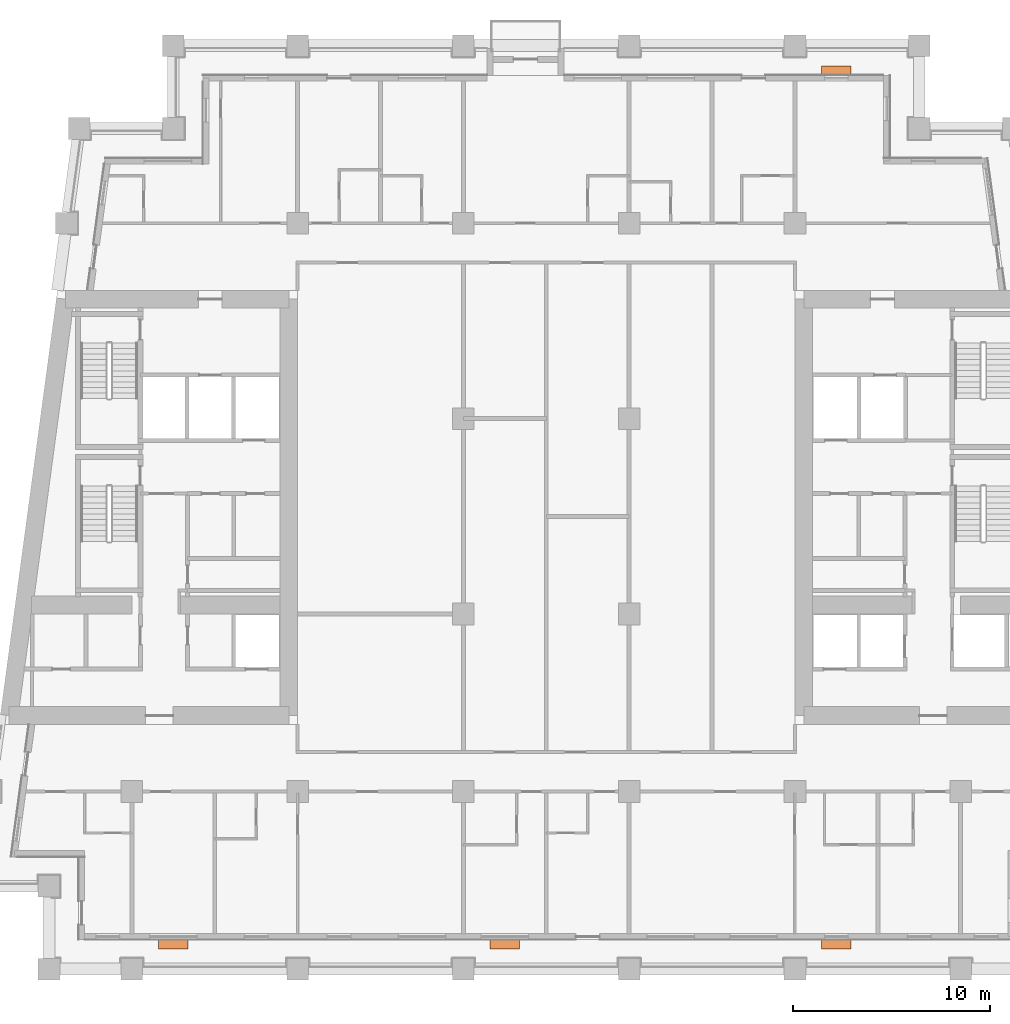
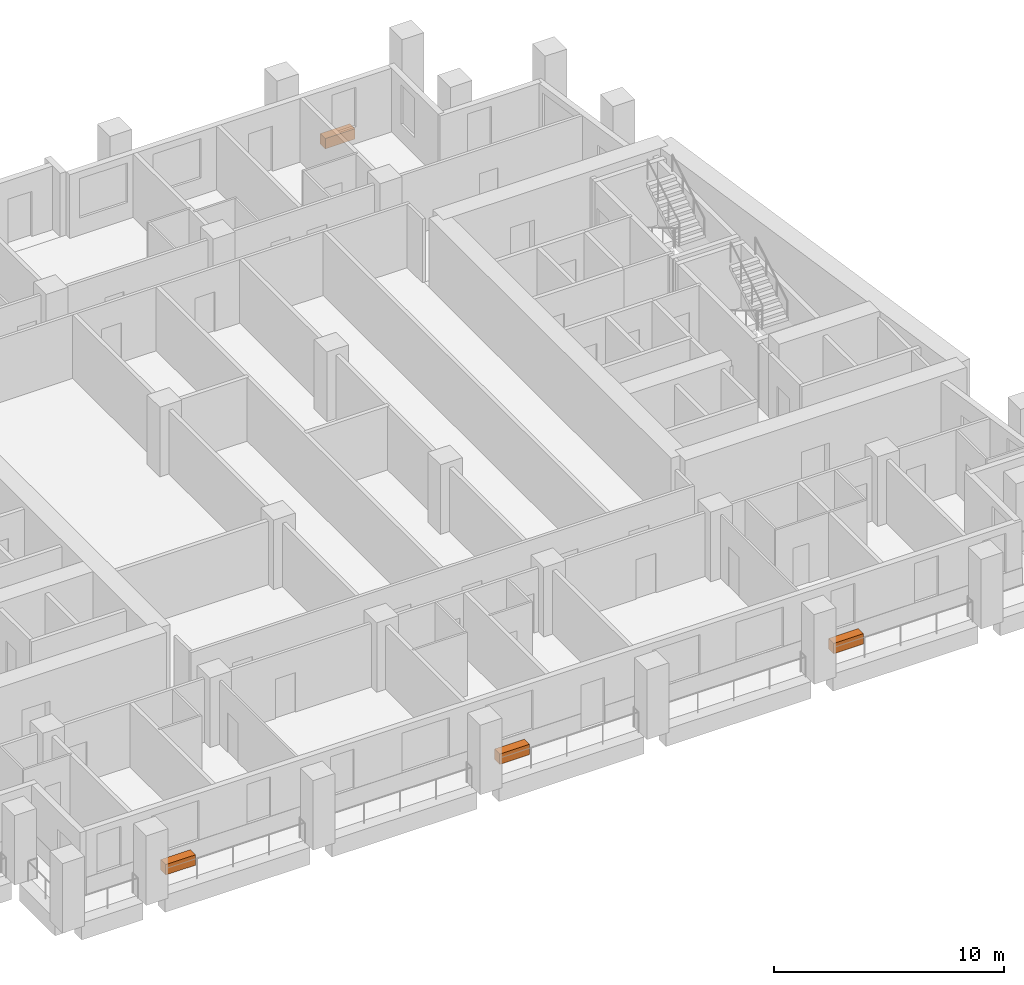
# One storey, part 12 of 12: 4 proxies.
"""IFC4 building model written with IfcOpenShell, lengths in metres."""

from ifc_helpers import new_model, si_unit, direction, frame, origin, origin_2d, place, context, subcontext, project, spatial, rectangle, extrude, element, save


model = new_model("IFC4")

# Units and contexts
model_context = context("Model", 3, precision=1e-05, world=origin(), true_north=direction((0.0, 1.0)))
body_context = subcontext(model_context, "Body", "Model", "MODEL_VIEW")
ifc_project = project(units=[si_unit("LENGTHUNIT", "METRE"), si_unit("AREAUNIT", "SQUARE_METRE"), si_unit("VOLUMEUNIT", "CUBIC_METRE"), si_unit("PLANEANGLEUNIT", "RADIAN"), si_unit("MASSUNIT", "GRAM", prefix="KILO")], contexts=[model_context])

# Site, building, storey
site_placement = place(None, origin())
site = spatial("IfcSite", under=ifc_project, at=site_placement, CompositionType="ELEMENT")
building_placement = place(site_placement, origin())
building = spatial("IfcBuilding", under=site, at=building_placement, Name="Candeia Pilgrim Tower and Theatre", CompositionType="ELEMENT")
storey_placement = place(building_placement, frame((0.0, 0.0, 162.60009765625)))
storey = spatial("IfcBuildingStorey", under=building, at=storey_placement, Name="L38", CompositionType="ELEMENT", Elevation=162.60009765625)

# Proxies
for number, where, z_axis, x_axis, name in (
    (1, (94.5, 99.2548828125, 0.0), (0.0, 0.0, 1.0), (1.0, 0.0, 0.0), "Planter"),
    (2, (111.300048828125, 99.2548828125, 0.0), (0.0, 0.0, 1.0), (1.0, 0.0, 0.0), "Planter"),
    (3, (128.10009765625, 99.2548828125, 0.0), (0.0, 0.0, 1.0), (1.0, 0.0, 0.0), "Planter"),
    (4, (128.10009765625, 143.544921875, 0.0), (0.0, 0.0, 1.0), (-1.0, 0.0, 0.0), "Planter"),
):
    element("IfcBuildingElementProxy", number, at=place(storey_placement, frame(where, z_axis=z_axis, x_axis=x_axis)), inside=storey, Name=name, ObjectType="PLANTER", PredefinedType="USERDEFINED", context=body_context, shape_type="SweptSolid", body=[
        extrude(rectangle(XDim=1.5, YDim=0.449951171875, at=origin_2d()), origin(), (0.0, 0.0, 1.0), 0.550048828125),
    ])

save(model, "model.ifc")
